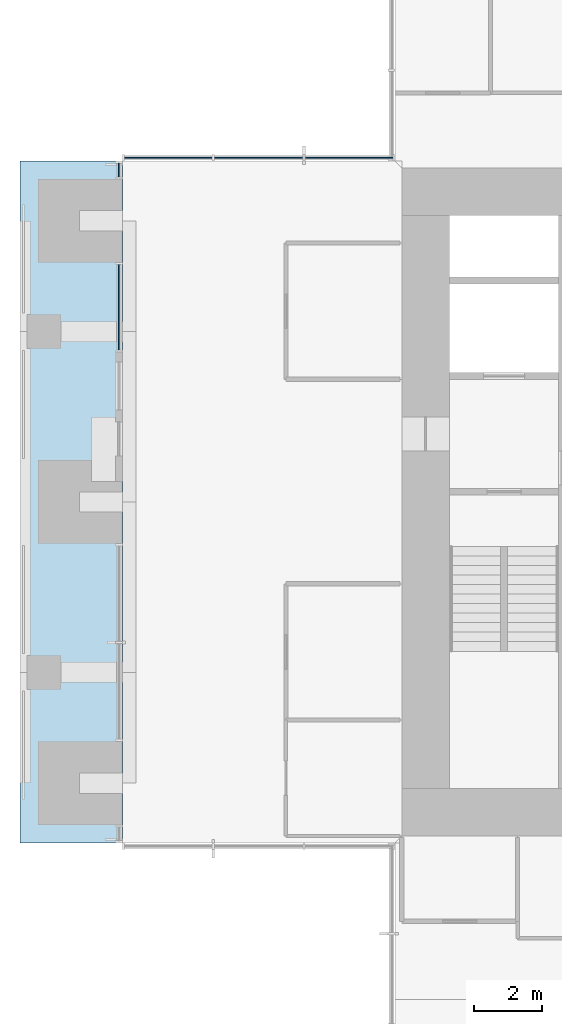
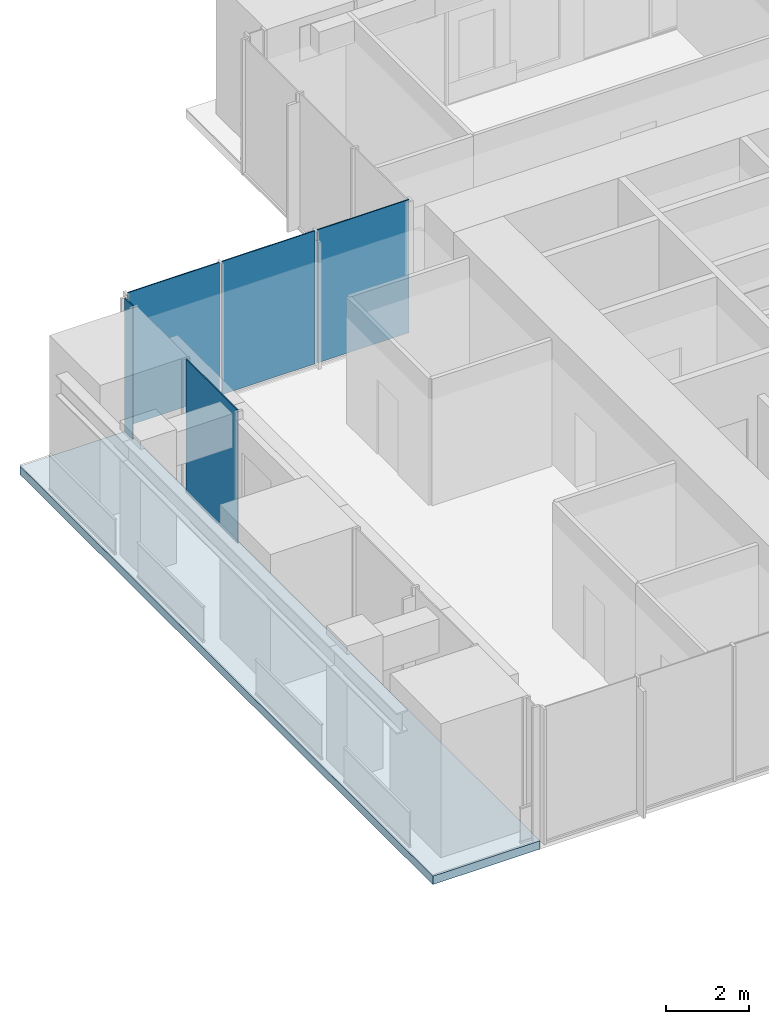
# One storey, part 8 of 17: 5 plates, 1 slab, 3 elements without a shape of their own.
"""IFC4 building model written with IfcOpenShell, lengths in metres."""

from ifc_helpers import new_model, si_unit, direction, frame, origin, origin_2d, place, context, subcontext, project, spatial, polyline, rectangle, outline, extrude, material, layer, layer_set, type_object, element, aggregate, save


model = new_model("IFC4")

# Units and contexts
model_context = context("Model", 3, precision=1e-05, world=origin(), true_north=direction((0.0, 1.0)))
body_context = subcontext(model_context, "Body", "Model", "MODEL_VIEW")
ifc_project = project(units=[si_unit("LENGTHUNIT", "METRE"), si_unit("AREAUNIT", "SQUARE_METRE"), si_unit("VOLUMEUNIT", "CUBIC_METRE"), si_unit("PLANEANGLEUNIT", "RADIAN"), si_unit("MASSUNIT", "GRAM", prefix="KILO")], contexts=[model_context])

# Site, building, storey
site_placement = place(None, origin())
site = spatial("IfcSite", under=ifc_project, at=site_placement, CompositionType="ELEMENT")
building_placement = place(site_placement, origin())
building = spatial("IfcBuilding", under=site, at=building_placement, Name="Svetlomir Tower", CompositionType="ELEMENT")
storey_placement = place(building_placement, frame((0.0, 0.0, 190.5)))
storey = spatial("IfcBuildingStorey", under=building, at=storey_placement, Name="L45", CompositionType="ELEMENT", Elevation=190.5)

# Curtain wall, plates
ifc_material_1 = material(Name="Bronze anodised aluminium curtain wall", Category="aluminium")
curtain_wall_type = type_object("IfcCurtainWallType", Name="CURTAIN WALL CW1 TOWER OFFICE", PredefinedType="NOTDEFINED", material=ifc_material_1)
curtain_wall_1_placement = place(storey_placement, origin())
curtain_wall_1 = element("IfcCurtainWall", 1, at=curtain_wall_1_placement, inside=storey, type_object=curtain_wall_type, Name="Curtain wall CW1 L45", PredefinedType="NOTDEFINED")
ifc_material_2 = material(Name="Tinted double glazed unit", Category="glass")
ifc_layer_1 = layer(ifc_material_2, 0.031982421875)
ifc_layer_set_1 = layer_set([ifc_layer_1], Name="Tinted double glazed unit")
plate_type = type_object("IfcPlateType", Name="CW1 GLAZED PANEL 32", PredefinedType="CURTAIN_PANEL", material=ifc_layer_set_1)
plate_1_placement = place(storey_placement, frame((9.650390625, 31.10009765625, 0.06494140625), z_axis=(0.0, 0.0, 1.0), x_axis=(-1.0, 0.0, 0.0)))
plate_1 = element("IfcPlate", 2, at=plate_1_placement, type_object=plate_type, Name="CW1 panel 1.1", PredefinedType="CURTAIN_PANEL", context=body_context, shape_type="SweptSolid", body=[
    extrude(rectangle(XDim=2.569091796875, YDim=0.031982421875, at=origin_2d()), origin(), (0.0, 0.0, 1.0), 3.93505859375),
])
plate_2_placement = place(storey_placement, frame((7.0, 31.10009765625, 0.06494140625), z_axis=(0.0, 0.0, 1.0), x_axis=(-1.0, 0.0, 0.0)))
plate_2 = element("IfcPlate", 3, at=plate_2_placement, type_object=plate_type, Name="CW1 panel 2.1", PredefinedType="CURTAIN_PANEL", context=body_context, shape_type="SweptSolid", body=[
    extrude(rectangle(XDim=2.6015625, YDim=0.031982421875, at=origin_2d()), origin(), (0.0, 0.0, 1.0), 3.93505859375),
])
plate_3_placement = place(storey_placement, frame((4.349609375, 31.10009765625, 0.06494140625), z_axis=(0.0, 0.0, 1.0), x_axis=(-1.0, 0.0, 0.0)))
plate_3 = element("IfcPlate", 4, at=plate_3_placement, type_object=plate_type, Name="CW1 panel 3.1", PredefinedType="CURTAIN_PANEL", context=body_context, shape_type="SweptSolid", body=[
    extrude(rectangle(XDim=2.569091796875, YDim=0.031982421875, at=origin_2d()), origin(), (0.0, 0.0, 1.0), 3.93505859375),
])
aggregate(curtain_wall_1, [plate_1, plate_2, plate_3])

# Curtain wall, plate
curtain_wall_2_placement = place(storey_placement, origin())
curtain_wall_2 = element("IfcCurtainWall", 5, at=curtain_wall_2_placement, inside=storey, type_object=curtain_wall_type, Name="Curtain wall CW1 L45", PredefinedType="NOTDEFINED")
plate_4_placement = place(storey_placement, frame((2.89990234375, 30.737548828125, 0.06494140625), z_axis=(0.0, 0.0, 1.0), x_axis=(0.0, -1.0, 0.0)))
plate_4 = element("IfcPlate", 6, at=plate_4_placement, type_object=plate_type, Name="CW1 panel 1.1", PredefinedType="CURTAIN_PANEL", context=body_context, shape_type="SweptSolid", body=[
    extrude(rectangle(XDim=0.39501953125, YDim=0.031982421875, at=origin_2d()), origin(), (0.0, 0.0, 1.0), 3.93505859375),
])
aggregate(curtain_wall_2, [plate_4])

curtain_wall_3_placement = place(storey_placement, origin())
curtain_wall_3 = element("IfcCurtainWall", 7, at=curtain_wall_3_placement, inside=storey, type_object=curtain_wall_type, Name="Curtain wall CW1 L45", PredefinedType="NOTDEFINED")
plate_5_placement = place(storey_placement, frame((2.89990234375, 26.71240234375, 0.06494140625), z_axis=(0.0, 0.0, 1.0), x_axis=(0.0, -1.0, 0.0)))
plate_5 = element("IfcPlate", 8, at=plate_5_placement, type_object=plate_type, Name="CW1 panel 1.1", PredefinedType="CURTAIN_PANEL", context=body_context, shape_type="SweptSolid", body=[
    extrude(rectangle(XDim=2.4951171875, YDim=0.031982421875, at=origin_2d()), origin(), (0.0, 0.0, 1.0), 3.93505859375),
])
aggregate(curtain_wall_3, [plate_5])

# Slab
ifc_material_3 = material(Name="Concrete C60/75", Category="concrete")
ifc_layer_2 = layer(ifc_material_3, 0.25)
ifc_layer_set_2 = layer_set([ifc_layer_2], Name="Concrete C60/75")
slab_type = type_object("IfcSlabType", Name="PLANTED LOGGIA SLAB 250", PredefinedType="FLOOR", material=ifc_layer_set_2)
slab_placement = place(storey_placement, frame((0.0, 0.0, -0.25)))
element("IfcSlab", 9, at=slab_placement, inside=storey, type_object=slab_type, Name="L45 W planted loggia", PredefinedType="FLOOR", context=body_context, shape_type="SweptSolid", body=[
    extrude(outline(polyline([(0.0, 11.0), (3.0, 11.0), (3.0, 31.0), (0.0, 31.0), (0.0, 11.0)])), origin(), (0.0, 0.0, 1.0), 0.25),
])

save(model, "model.ifc")
